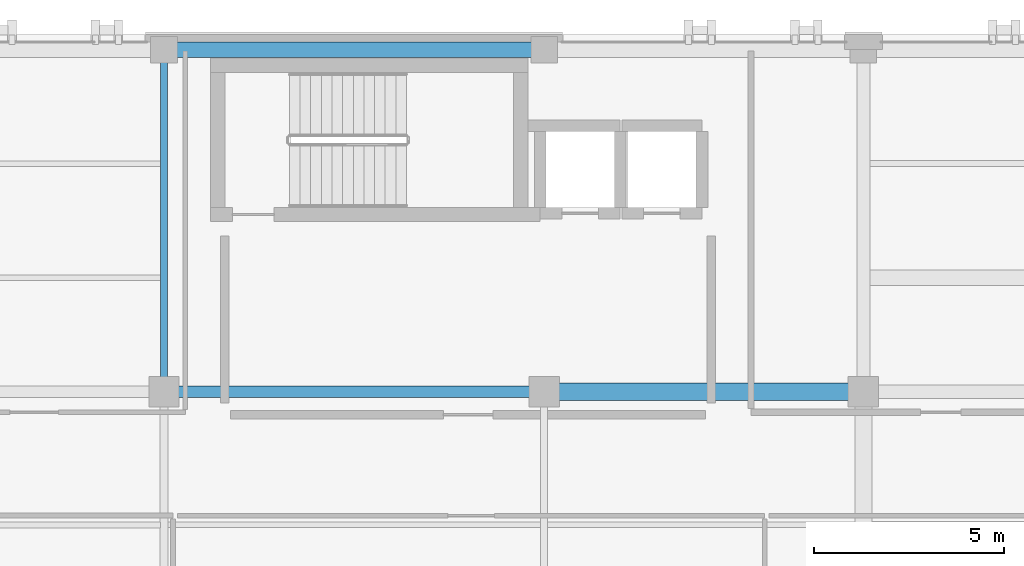
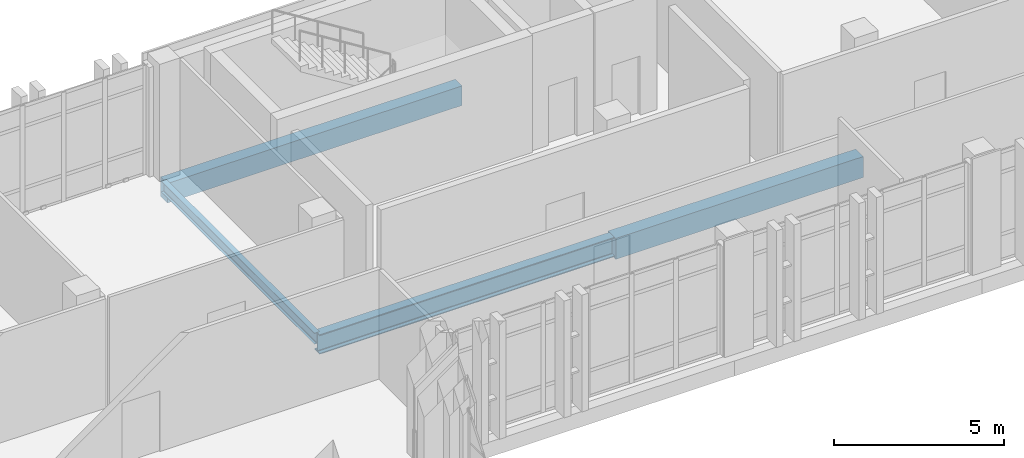
# One storey, part 89 of 158: 4 beams.
"""IFC4 building model written with IfcOpenShell, lengths in metres."""

import ifcopenshell
import ifcopenshell.guid

model = None  # the IFC model being written
_history = None  # IfcOwnerHistory: only IFC2X3 demands one
_inside = {}  # id of a spatial element -> (the spatial element, [elements in it])
_under = {}  # id of a project, library or spatial element -> (it, [spatial elements below it])
_declared = {}  # id of a project -> (the project, [libraries it declares])
_typed = {}  # id of a type object -> (the type object, [elements of that type])
_made_of = {}  # id of a material, layer set ... -> (it, [elements and type objects made of it])


def new_model(schema):
    """Start an empty IFC model of exactly this schema.

    Asked for "IFC4X3", IfcOpenShell would pick the latest addendum, in which some entities
    have other attributes; the version numbers below select the first issue.
    IFC2X3 requires an IfcOwnerHistory on every rooted entity: one is made here for all.
    """
    global model, _history
    if schema == "IFC4X3":
        model = ifcopenshell.file(schema_version=(4, 3, 0, 0))
    else:
        model = ifcopenshell.file(schema=schema)
    _inside.clear()
    _under.clear()
    _declared.clear()
    _typed.clear()
    _made_of.clear()
    _history = None
    if model.schema == "IFC2X3":
        org = make("IfcOrganization", Name="unknown")
        user = make(
            "IfcPersonAndOrganization",
            ThePerson=make("IfcPerson", FamilyName="unknown"),
            TheOrganization=org,
        )
        app = make(
            "IfcApplication",
            ApplicationDeveloper=org,
            Version="unknown",
            ApplicationFullName="unknown",
            ApplicationIdentifier="unknown",
        )
        _history = make(
            "IfcOwnerHistory",
            OwningUser=user,
            OwningApplication=app,
            ChangeAction="ADDED",
            CreationDate=0,
        )
    return model


def make(cls, **values):
    """One entity of the class cls with the attributes given. An attribute that is None is left unset."""
    return model.create_entity(
        cls, **{name: value for name, value in values.items() if value is not None}
    )


def rooted(cls, **values):
    """An entity with a GlobalId (a new one), such as an element, a storey or a relation."""
    return make(cls, GlobalId=ifcopenshell.guid.new(), OwnerHistory=_history, **values)


def si_unit(unit_type, name, prefix=None):
    """IfcSIUnit, for example si_unit("LENGTHUNIT", "METRE", prefix="MILLI")."""
    return make("IfcSIUnit", UnitType=unit_type, Prefix=prefix, Name=name)


def assignment(units):
    """IfcUnitAssignment: the units of a project."""
    return None if units is None else make("IfcUnitAssignment", Units=units)


def point(xyz):
    """IfcCartesianPoint."""
    return None if xyz is None else make("IfcCartesianPoint", Coordinates=xyz)


def direction(xyz):
    """IfcDirection."""
    return None if xyz is None else make("IfcDirection", DirectionRatios=xyz)


def frame(location, z_axis=None, x_axis=None):
    """IfcAxis2Placement3D, a coordinate frame: its origin and axes. An axis left out is left unset."""
    return make(
        "IfcAxis2Placement3D",
        Location=point(location),
        Axis=direction(z_axis),
        RefDirection=direction(x_axis),
    )


def frame_2d(location, x_axis=None):
    """IfcAxis2Placement2D, a coordinate frame in the plane: its origin and x axis."""
    return make(
        "IfcAxis2Placement2D", Location=point(location), RefDirection=direction(x_axis)
    )


def origin():
    """The frame at (0, 0, 0) with its axes left unset."""
    return frame((0.0, 0.0, 0.0))


def origin_2d():
    """The frame at (0, 0) in the plane with its x axis left unset."""
    return frame_2d((0.0, 0.0))


def place(relative_to, where):
    """IfcLocalPlacement: puts the frame where relative to a parent placement (None: the world)."""
    return make(
        "IfcLocalPlacement", PlacementRelTo=relative_to, RelativePlacement=where
    )


def context(
    kind, dimensions, precision=None, world=None, true_north=None, identifier=None
):
    """IfcGeometricRepresentationContext, for example the 3D "Model" context."""
    return make(
        "IfcGeometricRepresentationContext",
        ContextIdentifier=identifier,
        ContextType=kind,
        CoordinateSpaceDimension=dimensions,
        Precision=precision,
        WorldCoordinateSystem=world,
        TrueNorth=true_north,
    )


def subcontext(parent, identifier, kind, view, scale=None):
    """IfcGeometricRepresentationSubContext, for example "Body" below "Model"."""
    return make(
        "IfcGeometricRepresentationSubContext",
        ContextIdentifier=identifier,
        ContextType=kind,
        ParentContext=parent,
        TargetScale=scale,
        TargetView=view,
    )


def project(units=None, contexts=None):
    """IfcProject with its units and contexts."""
    return rooted(
        "IfcProject",
        Name="project",
        RepresentationContexts=contexts,
        UnitsInContext=assignment(units),
    )


def spatial(cls, under=None, at=None, **own):
    """A site, building, storey or space (cls), placed at a placement, below another one or the project."""
    s = rooted(cls, ObjectPlacement=at, **own)
    if under is not None:
        _under.setdefault(under.id(), (under, []))[1].append(s)
    return s


def profile(cls, at=None, kind="AREA", **sizes):
    """A parametric profile (cls). Its sizes go by their IFC names, for example OverallWidth=200.0."""
    return make(cls, ProfileType=kind, Position=at, **sizes)


def rectangle(**sizes):
    """IfcRectangleProfileDef."""
    return profile("IfcRectangleProfileDef", **sizes)


def i_section(**sizes):
    """IfcIShapeProfileDef."""
    return profile("IfcIShapeProfileDef", **sizes)


def extrude(swept, where, along, depth):
    """IfcExtrudedAreaSolid: the profile swept, set in the frame where, extruded along a direction by depth."""
    return make(
        "IfcExtrudedAreaSolid",
        SweptArea=swept,
        Position=where,
        ExtrudedDirection=direction(along),
        Depth=depth,
    )


def shape(context_of_items, identifier, shape_type, items):
    """IfcShapeRepresentation: the items that make up one representation, for example the "Body"."""
    return make(
        "IfcShapeRepresentation",
        ContextOfItems=context_of_items,
        RepresentationIdentifier=identifier,
        RepresentationType=shape_type,
        Items=items,
    )


def material(Name=None, Category=None):
    """IfcMaterial."""
    return make("IfcMaterial", Name=Name, Category=Category)


def material_profile(
    of_material, cross_section, Name=None, Category=None, Priority=None
):
    """IfcMaterialProfile: a cross section and its material."""
    return make(
        "IfcMaterialProfile",
        Name=Name,
        Material=of_material,
        Profile=cross_section,
        Priority=Priority,
        Category=Category,
    )


def profile_set(profiles, Name=None, composite=None):
    """IfcMaterialProfileSet."""
    return make(
        "IfcMaterialProfileSet",
        Name=Name,
        MaterialProfiles=profiles,
        CompositeProfile=composite,
    )


def made_of(thing, what):
    """Note that an element or type object is made of a material, layer set ...; save() writes the relation."""
    if what is not None:
        _made_of.setdefault(what.id(), (what, []))[1].append(thing)
    return thing


def type_object(cls, material=None, **own):
    """A type object (cls), such as IfcWallType, which elements share."""
    return made_of(rooted(cls, **own), material)


def element(
    cls,
    number,
    at=None,
    inside=None,
    cuts=None,
    type_object=None,
    material=None,
    context=None,
    identifier="Body",
    shape_type=None,
    held_by="IfcProductDefinitionShape",
    body=None,
    shapes=None,
    **own,
):
    """One element of the class cls, such as IfcWall. Its Tag is "e" and its number.

    at: its placement. inside: the storey or other place that contains it. cuts: it is an
    opening in that element (IfcRelVoidsElement). A single representation is given by context,
    identifier, shape_type and body (its items); several are given by shapes. held_by: the class
    of the entity that holds the representations. save() writes the other relations.
    """
    e = rooted(cls, Tag="e%d" % number, ObjectPlacement=at, **own)
    if body is not None:
        shapes = [shape(context, identifier, shape_type, body)]
    if shapes is not None:
        e.Representation = make(held_by, Representations=shapes)
    if inside is not None:
        _inside.setdefault(inside.id(), (inside, []))[1].append(e)
    if cuts is not None:
        rooted(
            "IfcRelVoidsElement", RelatingBuildingElement=cuts, RelatedOpeningElement=e
        )
    if type_object is not None:
        _typed.setdefault(type_object.id(), (type_object, []))[1].append(e)
    return made_of(e, material)


def aggregate(whole, parts):
    """IfcRelAggregates: a whole, such as a stair, and the parts it consists of."""
    return rooted("IfcRelAggregates", RelatingObject=whole, RelatedObjects=parts)


def save(model, path):
    """Write the relations noted so far, then the file.

    IfcRelAggregates (storeys below a building ...), IfcRelContainedInSpatialStructure (elements
    in a storey), IfcRelDefinesByType, IfcRelAssociatesMaterial and IfcRelDeclares: one each for
    every whole, place, type object, material and project.
    """
    for whole, parts in _under.values():
        aggregate(whole, parts)
    for where, things in _inside.values():
        rooted(
            "IfcRelContainedInSpatialStructure",
            RelatedElements=things,
            RelatingStructure=where,
        )
    for kind, things in _typed.values():
        rooted("IfcRelDefinesByType", RelatedObjects=things, RelatingType=kind)
    for what, things in _made_of.values():
        rooted("IfcRelAssociatesMaterial", RelatedObjects=things, RelatingMaterial=what)
    for by, libraries in _declared.values():
        rooted("IfcRelDeclares", RelatingContext=by, RelatedDefinitions=libraries)
    model.write(path)


model = new_model("IFC4")

# Units and contexts
model_context = context("Model", 3, precision=1e-05, world=origin(), true_north=direction((0.0, 1.0)))
body_context = subcontext(model_context, "Body", "Model", "MODEL_VIEW")
ifc_project = project(units=[si_unit("LENGTHUNIT", "METRE"), si_unit("AREAUNIT", "SQUARE_METRE"), si_unit("VOLUMEUNIT", "CUBIC_METRE"), si_unit("PLANEANGLEUNIT", "RADIAN"), si_unit("MASSUNIT", "GRAM", prefix="KILO")], contexts=[model_context])

# Site, building, storey
site_placement = place(None, origin())
site = spatial("IfcSite", under=ifc_project, at=site_placement, CompositionType="ELEMENT")
building_placement = place(site_placement, origin())
building = spatial("IfcBuilding", under=site, at=building_placement, Name="Qalavern Law Courts", CompositionType="ELEMENT")
storey_placement = place(building_placement, frame((0.0, 0.0, 18.60009765625)))
storey = spatial("IfcBuildingStorey", under=building, at=storey_placement, Name="L04", CompositionType="ELEMENT", Elevation=18.60009765625)

# Beams
ifc_material_1 = material(Name="Steel S355", Category="steel")
ifc_material_profile_1 = material_profile(ifc_material_1, i_section(OverallWidth=0.300048828125, OverallDepth=0.699951171875, WebThickness=0.01708984375, FlangeThickness=0.031982421875, FilletRadius=0.027099609375, at=origin_2d()), Name="HEB 700")
ifc_profile_set_1 = profile_set([ifc_material_profile_1], Name="Steel S355")
beam_type_1 = type_object("IfcBeamType", Name="STR-BM-HEB700", PredefinedType="BEAM", material=ifc_profile_set_1)
beam_1_placement = place(storey_placement, frame((18.39990234375, 103.60009765625, -0.630126953125), z_axis=(1.0, 0.0, 0.0), x_axis=(0.0, 1.0, 0.0)))
element("IfcBeam", 1, at=beam_1_placement, inside=storey, type_object=beam_type_1, Name="V5 X-beam 2-3 L04", PredefinedType="BEAM", context=body_context, shape_type="SweptSolid", body=[
    extrude(i_section(OverallWidth=0.300048828125, OverallDepth=0.699951171875, WebThickness=0.01708984375, FlangeThickness=0.031982421875, FilletRadius=0.027099609375, at=origin_2d()), origin(), (0.0, 0.0, 1.0), 10.0),
])
ifc_material_profile_2 = material_profile(ifc_material_1, i_section(OverallWidth=0.179931640625, OverallDepth=0.39990234375, WebThickness=0.008544921875, FlangeThickness=0.013427734375, FilletRadius=0.02099609375, at=origin_2d()), Name="IPE 400")
ifc_profile_set_2 = profile_set([ifc_material_profile_2], Name="Steel S355")
beam_type_2 = type_object("IfcBeamType", Name="STR-BM-IPE400", PredefinedType="BEAM", material=ifc_profile_set_2)
beam_2_placement = place(storey_placement, frame((18.39990234375, 103.60009765625, -0.47998046875), z_axis=(0.0, 1.0, 0.0), x_axis=(-1.0, 0.0, 0.0)))
element("IfcBeam", 2, at=beam_2_placement, inside=storey, type_object=beam_type_2, Name="V5 Y-beam 3-2 L04", PredefinedType="BEAM", context=body_context, shape_type="SweptSolid", body=[
    extrude(i_section(OverallWidth=0.179931640625, OverallDepth=0.39990234375, WebThickness=0.008544921875, FlangeThickness=0.013427734375, FilletRadius=0.02099609375, at=origin_2d()), origin(), (0.0, 0.0, 1.0), 9.0),
])
ifc_material_2 = material(Name="Concrete C40/50", Category="concrete")
ifc_material_profile_3 = material_profile(ifc_material_2, rectangle(XDim=0.449951171875, YDim=0.75, at=origin_2d()), Name="RC 450x750")
ifc_profile_set_3 = profile_set([ifc_material_profile_3], Name="Concrete C40/50")
beam_type_3 = type_object("IfcBeamType", Name="STR-BM-RC450x750", PredefinedType="BEAM", material=ifc_profile_set_3)
beam_3_placement = place(storey_placement, frame((28.39990234375, 103.60009765625, -0.655029296875), z_axis=(1.0, 0.0, 0.0), x_axis=(0.0, 1.0, 0.0)))
element("IfcBeam", 3, at=beam_3_placement, inside=storey, type_object=beam_type_3, Name="V5 X-beam 2-4 L04", PredefinedType="BEAM", context=body_context, shape_type="SweptSolid", body=[
    extrude(rectangle(XDim=0.449951171875, YDim=0.75, at=origin_2d()), origin(), (0.0, 0.0, 1.0), 8.400146484375),
])
ifc_material_profile_4 = material_profile(ifc_material_2, rectangle(XDim=0.39990234375, YDim=0.699951171875, at=origin_2d()), Name="RC 400x700")
ifc_profile_set_4 = profile_set([ifc_material_profile_4], Name="Concrete C40/50")
beam_type_4 = type_object("IfcBeamType", Name="STR-SP-RC400x700", PredefinedType="SPANDREL", material=ifc_profile_set_4)
beam_4_placement = place(storey_placement, frame((18.39990234375, 112.60009765625, -0.630126953125), z_axis=(1.0, 0.0, 0.0), x_axis=(0.0, 1.0, 0.0)))
element("IfcBeam", 4, at=beam_4_placement, inside=storey, type_object=beam_type_4, Name="V5 X-beam 3-3 L04", PredefinedType="SPANDREL", context=body_context, shape_type="SweptSolid", body=[
    extrude(rectangle(XDim=0.39990234375, YDim=0.699951171875, at=origin_2d()), origin(), (0.0, 0.0, 1.0), 10.0),
])

save(model, "model.ifc")
